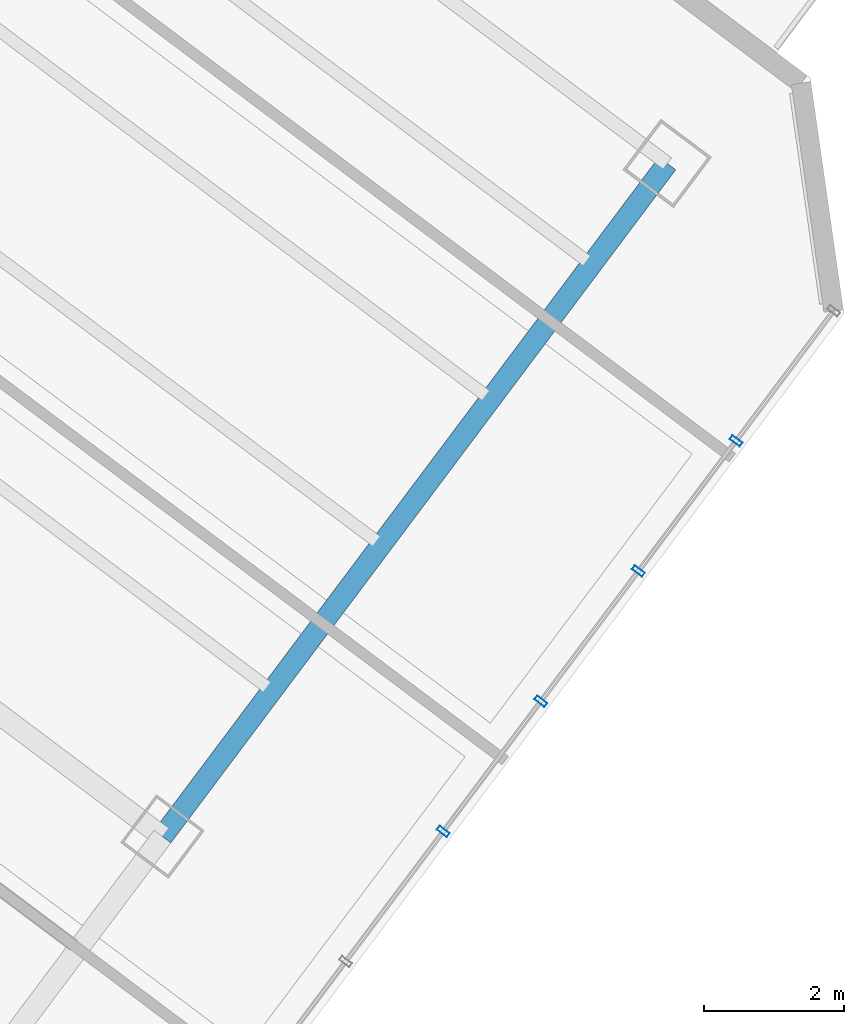
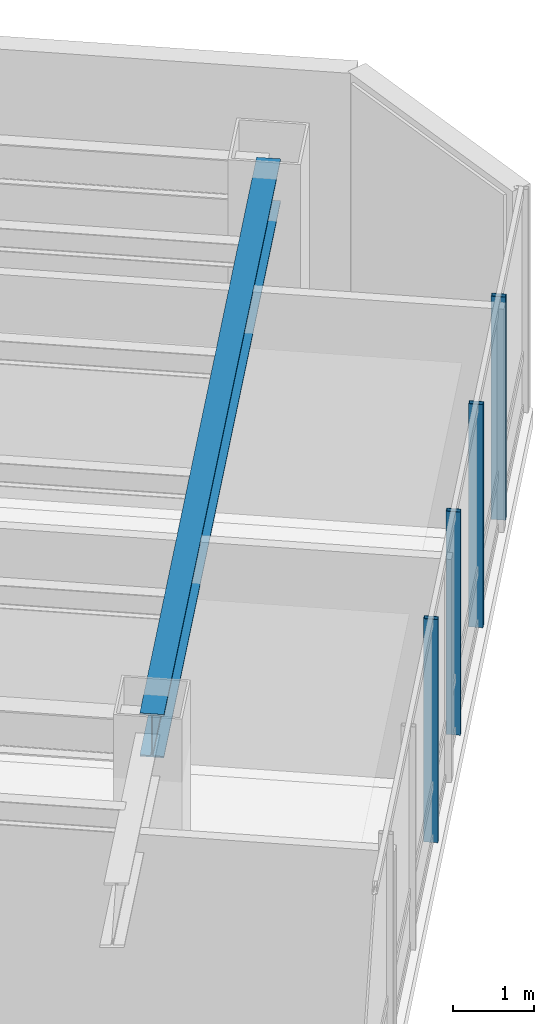
# One storey, part 10 of 31: 4 members, 1 beam, 1 element without a shape of its own.
"""IFC4 building model written with IfcOpenShell, lengths in metres."""

from ifc_helpers import new_model, si_unit, direction, frame, origin, origin_2d, place, context, subcontext, project, spatial, hollow_rectangle, i_section, extrude, material, layer, layer_set, material_profile, profile_set, type_object, element, aggregate, save


model = new_model("IFC4")

# Units and contexts
model_context = context("Model", 3, precision=1e-05, world=origin(), true_north=direction((0.0, 1.0)))
body_context = subcontext(model_context, "Body", "Model", "MODEL_VIEW")
ifc_project = project(units=[si_unit("LENGTHUNIT", "METRE"), si_unit("AREAUNIT", "SQUARE_METRE"), si_unit("VOLUMEUNIT", "CUBIC_METRE"), si_unit("PLANEANGLEUNIT", "RADIAN"), si_unit("MASSUNIT", "GRAM", prefix="KILO")], contexts=[model_context])

# Site, building, storey
site_placement = place(None, origin())
site = spatial("IfcSite", under=ifc_project, at=site_placement, CompositionType="ELEMENT")
building_placement = place(site_placement, origin())
building = spatial("IfcBuilding", under=site, at=building_placement, Name="Hatsunagi Terrace Concourse", CompositionType="ELEMENT")
storey_placement = place(building_placement, frame((0.0, 0.0, 112.050048828125)))
storey = spatial("IfcBuildingStorey", under=building, at=storey_placement, Name="L29", CompositionType="ELEMENT", Elevation=112.050048828125)

# Curtain wall, members
ifc_material_1 = material(Name="Anodised Aluminium Alloy 6063-T5", Category="aluminium")
ifc_layer = layer(ifc_material_1, 0.199951171875)
ifc_layer_set = layer_set([ifc_layer], Name="OfficeZone1_CW03")
curtain_wall_type = type_object("IfcCurtainWallType", Name="OfficeZone1_CW03", PredefinedType="NOTDEFINED", material=ifc_layer_set)
curtain_wall_placement = place(storey_placement, origin())
curtain_wall = element("IfcCurtainWall", 1, at=curtain_wall_placement, inside=storey, type_object=curtain_wall_type, Name="Unitised Curtain Wall CW-03 CW-L29-03", PredefinedType="NOTDEFINED")
ifc_material_2 = material(Name="Anodised Aluminium Alloy 6063-T5", Category="aluminium")
ifc_material_profile_1 = material_profile(ifc_material_2, hollow_rectangle(XDim=0.070068359375, YDim=0.179931640625, WallThickness=0.00390625, at=origin_2d()), Name="ALU-MUL-180x70x4")
ifc_profile_set_1 = profile_set([ifc_material_profile_1], Name="Anodised Aluminium Alloy 6063-T5")
member_type = type_object("IfcMemberType", Name="CurtainWallMullion_180x70", PredefinedType="MULLION", material=ifc_profile_set_1)
member_1_placement = place(storey_placement, frame((67.700927734375, 17.802001953125, 0.0), z_axis=(0.0, 0.0, 1.0), x_axis=(-0.599969314634, -0.800023013105, 0.0)))
member_1 = element("IfcMember", 2, at=member_1_placement, type_object=member_type, Name="Curtain Wall Mullion MUL-02", PredefinedType="MULLION", context=body_context, shape_type="SweptSolid", body=[
    extrude(hollow_rectangle(XDim=0.070068359375, YDim=0.179931640625, WallThickness=0.00390625, at=origin_2d()), origin(), (0.0, 0.0, 1.0), 3.349853515625),
])
member_2_placement = place(storey_placement, frame((66.30908203125, 15.945068359375, 0.0), z_axis=(0.0, 0.0, 1.0), x_axis=(-0.599969314634, -0.800023013105, 0.0)))
member_2 = element("IfcMember", 3, at=member_2_placement, type_object=member_type, Name="Curtain Wall Mullion MUL-02", PredefinedType="MULLION", context=body_context, shape_type="SweptSolid", body=[
    extrude(hollow_rectangle(XDim=0.070068359375, YDim=0.179931640625, WallThickness=0.00390625, at=origin_2d()), origin(), (0.0, 0.0, 1.0), 3.349853515625),
])
member_3_placement = place(storey_placement, frame((64.916015625, 14.089111328125, 0.0), z_axis=(0.0, 0.0, 1.0), x_axis=(-0.599969314634, -0.800023013105, 0.0)))
member_3 = element("IfcMember", 4, at=member_3_placement, type_object=member_type, Name="Curtain Wall Mullion MUL-02", PredefinedType="MULLION", context=body_context, shape_type="SweptSolid", body=[
    extrude(hollow_rectangle(XDim=0.070068359375, YDim=0.179931640625, WallThickness=0.00390625, at=origin_2d()), origin(), (0.0, 0.0, 1.0), 3.349853515625),
])
member_4_placement = place(storey_placement, frame((63.52392578125, 12.23193359375, 0.0), z_axis=(0.0, 0.0, 1.0), x_axis=(-0.599969314634, -0.800023013105, 0.0)))
member_4 = element("IfcMember", 5, at=member_4_placement, type_object=member_type, Name="Curtain Wall Mullion MUL-02", PredefinedType="MULLION", context=body_context, shape_type="SweptSolid", body=[
    extrude(hollow_rectangle(XDim=0.070068359375, YDim=0.179931640625, WallThickness=0.00390625, at=origin_2d()), origin(), (0.0, 0.0, 1.0), 3.349853515625),
])
aggregate(curtain_wall, [member_1, member_2, member_3, member_4])

# Beam
ifc_material_3 = material(Name="Steel SN490B", Category="steel")
ifc_material_profile_2 = material_profile(ifc_material_3, i_section(OverallWidth=0.300048828125, OverallDepth=0.64990234375, WebThickness=0.012939453125, FlangeThickness=0.02197265625, FilletRadius=0.01806640625, at=origin_2d()), Name="H-650x300x13x22")
ifc_profile_set_2 = profile_set([ifc_material_profile_2], Name="Steel SN490B")
beam_type = type_object("IfcBeamType", Name="OfficeLowGirder_H_650x300", PredefinedType="BEAM", material=ifc_profile_set_2)
beam_placement = place(storey_placement, frame((59.52001953125, 12.159912109375, 3.02490234375), z_axis=(0.59999348959, 0.800004882766, 0.0), x_axis=(-0.800004882766, 0.59999348959, 0.0)))
element("IfcBeam", 6, at=beam_placement, inside=storey, type_object=beam_type, Name="Beam G-05 BM-L29-SET-3B", PredefinedType="BEAM", context=body_context, shape_type="SweptSolid", body=[
    extrude(i_section(OverallWidth=0.300048828125, OverallDepth=0.64990234375, WebThickness=0.012939453125, FlangeThickness=0.02197265625, FilletRadius=0.01806640625, at=origin_2d()), origin(), (0.0, 0.0, 1.0), 12.0),
])

save(model, "model.ifc")
